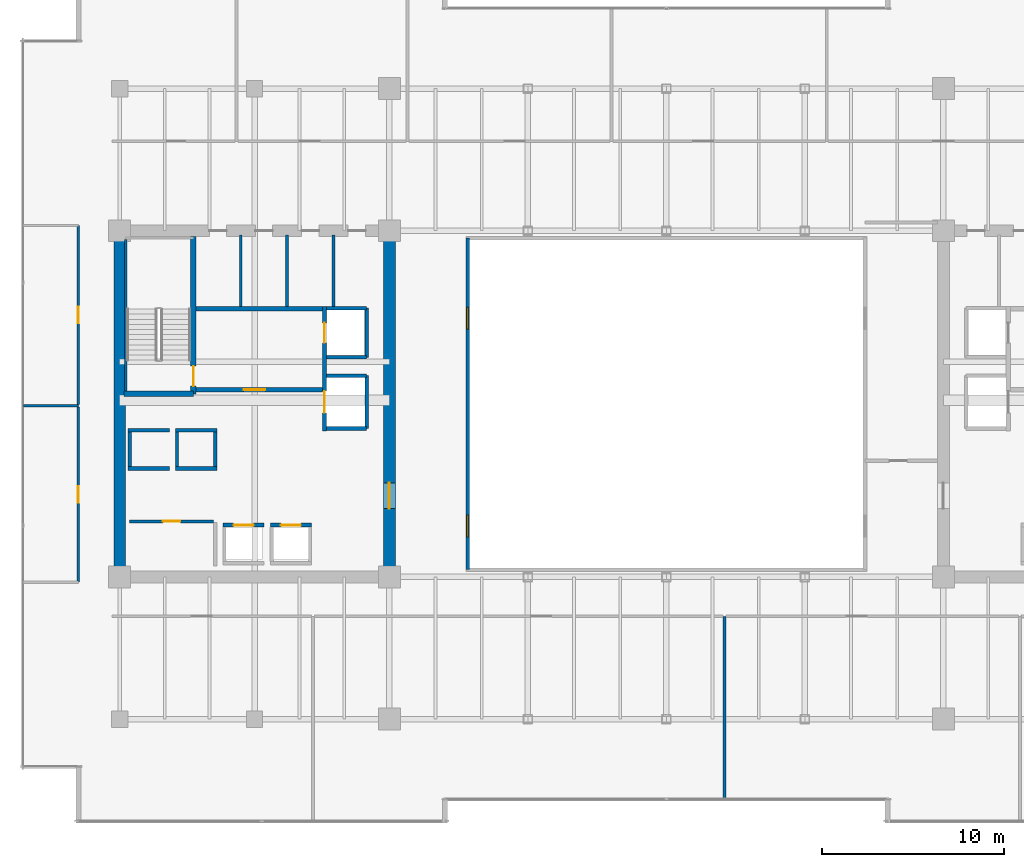
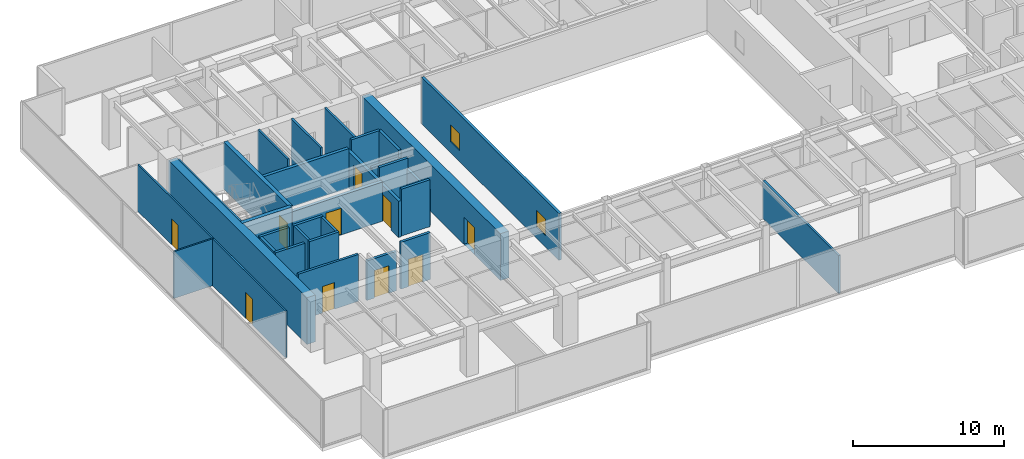
# One storey, part 25 of 30: 32 walls, 10 doors, 2 windows, 12 openings.
"""IFC4 building model written with IfcOpenShell, lengths in metres."""

from ifc_helpers import new_model, si_unit, direction, frame, frame_2d, origin, place, context, subcontext, project, spatial, rectangle, extrude, source, transform, mapped, material, layer, layer_set, type_object, type_shapes, element, fill, save


model = new_model("IFC4")

# Units and contexts
model_context = context("Model", 3, precision=1e-05, world=origin(), true_north=direction((0.0, 1.0)))
body_context = subcontext(model_context, "Body", "Model", "MODEL_VIEW")
ifc_project = project(units=[si_unit("LENGTHUNIT", "METRE"), si_unit("AREAUNIT", "SQUARE_METRE"), si_unit("VOLUMEUNIT", "CUBIC_METRE"), si_unit("PLANEANGLEUNIT", "RADIAN"), si_unit("MASSUNIT", "GRAM", prefix="KILO")], contexts=[model_context])

# Site, building, storey
site_placement = place(None, origin())
site = spatial("IfcSite", under=ifc_project, at=site_placement, CompositionType="ELEMENT")
building_placement = place(site_placement, origin())
building = spatial("IfcBuilding", under=site, at=building_placement, Name="Haelvirn Gate Laboratories", CompositionType="ELEMENT")
storey_placement = place(building_placement, frame((0.0, 0.0, 170.699951171875)))
storey = spatial("IfcBuildingStorey", under=building, at=storey_placement, Name="L41", CompositionType="ELEMENT", Elevation=170.699951171875)

# Wall
ifc_material_1 = material(Name="Double-layer acoustic gypsum laboratory partition", Category="gypsum")
ifc_layer_1 = layer(ifc_material_1, 0.159912109375, Name="IW-ACOUST-160")
ifc_layer_set_1 = layer_set([ifc_layer_1], Name="Double-layer acoustic gypsum laboratory partition")
wall_type_1 = type_object("IfcWallType", Name="IW-ACOUST-160", PredefinedType="PARTITIONING", material=ifc_layer_set_1)
wall_1_placement = place(storey_placement, frame((40.60009765625, 2.610107421875, 0.0), z_axis=(0.0, 0.0, 1.0), x_axis=(0.0, 1.0, 0.0)))
element("IfcWall", 1, at=wall_1_placement, inside=storey, type_object=wall_type_1, Name="L41 Interior Wall IW-L41-SDIV-02", PredefinedType="PARTITIONING", context=body_context, shape_type="SweptSolid", body=[
    extrude(rectangle(XDim=10.02978515625, YDim=0.159912109375, at=frame_2d((5.014892578125, 0.0))), origin(), (0.0, 0.0, 1.0), 3.074951171875),
])

# Wall, openings, windows
ifc_material_2 = material(Name="Tempered fire-rated borosilicate glass & anodised aluminium", Category="aluminium")
ifc_layer_2 = layer(ifc_material_2, 0.195068359375, Name="IW-GLAZ-200")
ifc_layer_set_2 = layer_set([ifc_layer_2], Name="Tempered fire-rated borosilicate glass & anodised aluminium")
wall_type_2 = type_object("IfcWallType", Name="IW-GLAZ-200", PredefinedType="SOLIDWALL", material=ifc_layer_set_2)
wall_2_placement = place(storey_placement, frame((26.5, 15.199951171875, 0.0), z_axis=(0.0, 0.0, 1.0), x_axis=(0.0, 1.0, 0.0)))
wall_2 = element("IfcWall", 2, at=wall_2_placement, inside=storey, type_object=wall_type_2, Name="L41 Interior Wall IW-L41-ATRIUM-W", PredefinedType="SOLIDWALL", context=body_context, shape_type="SweptSolid", body=[
    extrude(rectangle(XDim=18.199951171875, YDim=0.195068359375, at=frame_2d((9.10009765625, 0.0))), origin(), (0.0, 0.0, 1.0), 3.7900390625),
])
opening_1_placement = place(wall_2_placement, frame((1.800048828125, 0.0, 0.89990234375)))
opening_1 = element("IfcOpeningElement", 3, at=opening_1_placement, cuts=wall_2, Name="Opening W6", PredefinedType="OPENING", context=body_context, shape_type="SweptSolid", body=[
    extrude(rectangle(XDim=1.199951171875, YDim=1.35009765625, at=frame_2d((0.60009765625, 0.675048828125))), frame((0.0, 0.107421875, 0.0), z_axis=(0.0, -1.0, 0.0), x_axis=(1.0, 0.0, 0.0)), (0.0, 0.0, 1.0), 0.215087890625),
])
opening_2_placement = place(wall_2_placement, frame((13.199951171875, 0.0, 0.89990234375)))
opening_2 = element("IfcOpeningElement", 4, at=opening_2_placement, cuts=wall_2, Name="Opening W6", PredefinedType="OPENING", context=body_context, shape_type="SweptSolid", body=[
    extrude(rectangle(XDim=1.199951171875, YDim=1.35009765625, at=frame_2d((0.60009765625, 0.675048828125))), frame((0.0, 0.107421875, 0.0), z_axis=(0.0, -1.0, 0.0), x_axis=(1.0, 0.0, 0.0)), (0.0, 0.0, 1.0), 0.215087890625),
])
ifc_material_3 = material(Name="Fire-rated EI 120 borosilicate atrium vision glazing", Category="glass")
window_type = type_object("IfcWindowType", Name="WN-ATR-1200", PartitioningType="SINGLE_PANEL", PredefinedType="WINDOW", material=ifc_material_3)
shared_shape_1 = source(origin(), body_context, "Body", "SweptSolid", [
    extrude(rectangle(XDim=1.199951171875, YDim=1.35009765625, at=frame_2d((0.60009765625, 0.675048828125))), frame((0.0, 0.030029296875, 0.0), z_axis=(0.0, -1.0, 0.0), x_axis=(1.0, 0.0, 0.0)), (0.0, 0.0, 1.0), 0.06005859375),
])
type_shapes(window_type, [shared_shape_1])
window_1_placement = place(opening_1_placement, origin())
window_1 = element("IfcWindow", 5, at=window_1_placement, inside=storey, type_object=window_type, Name="L41 Atrium Observation Window 1", OverallHeight=1.35009765625, OverallWidth=1.199951171875, PartitioningType="SINGLE_PANEL", PredefinedType="WINDOW", context=body_context, shape_type="MappedRepresentation", body=[
    mapped(shared_shape_1, transform((0.0, 0.0, 0.0), scale=1.0)),
])
fill(opening_1, window_1)
window_2_placement = place(opening_2_placement, origin())
window_2 = element("IfcWindow", 6, at=window_2_placement, inside=storey, type_object=window_type, Name="L41 Atrium Observation Window 2", OverallHeight=1.35009765625, OverallWidth=1.199951171875, PartitioningType="SINGLE_PANEL", PredefinedType="WINDOW", context=body_context, shape_type="MappedRepresentation", body=[
    mapped(shared_shape_1, transform((0.0, 0.0, 0.0), scale=1.0)),
])
fill(opening_2, window_2)

# Wall, opening, door
ifc_material_4 = material(Name="Lightweight acoustic gypsum board partition", Category="gypsum")
ifc_layer_3 = layer(ifc_material_4, 0.1201171875, Name="IW-PART-120")
ifc_layer_set_3 = layer_set([ifc_layer_3], Name="Lightweight acoustic gypsum board partition")
wall_type_3 = type_object("IfcWallType", Name="IW-PART-120", PredefinedType="PARTITIONING", material=ifc_layer_set_3)
wall_3_placement = place(storey_placement, frame((5.1298828125, 14.514892578125, 0.0), z_axis=(0.0, 0.0, 1.0), x_axis=(0.0, 1.0, 0.0)))
wall_3 = element("IfcWall", 7, at=wall_3_placement, inside=storey, type_object=wall_type_3, Name="L41 Interior Wall IW-L41-WPASS-01", PredefinedType="PARTITIONING", context=body_context, shape_type="SweptSolid", body=[
    extrude(rectangle(XDim=9.625, YDim=0.1201171875, at=frame_2d((4.8125, 0.0))), origin(), (0.0, 0.0, 1.0), 3.7900390625),
])
opening_3_placement = place(wall_3_placement, frame((4.362548828125, 0.0, 0.0)))
opening_3 = element("IfcOpeningElement", 8, at=opening_3_placement, cuts=wall_3, Name="Opening D4", PredefinedType="OPENING", context=body_context, shape_type="SweptSolid", body=[
    extrude(rectangle(XDim=0.89990234375, YDim=2.10009765625, at=frame_2d((0.449951171875, 1.050048828125))), frame((0.0, 0.070068359375, 0.0), z_axis=(0.0, -1.0, 0.0), x_axis=(1.0, 0.0, 0.0)), (0.0, 0.0, 1.0), 0.14013671875),
])
ifc_material_5 = material(Name="Glazed aluminium-framed write-up door", Category="aluminium")
door_type_1 = type_object("IfcDoorType", Name="DR-OFF-900", OperationType="NOTDEFINED", PredefinedType="DOOR", material=ifc_material_5)
shared_shape_2 = source(origin(), body_context, "Body", "SweptSolid", [
    extrude(rectangle(XDim=0.89990234375, YDim=2.10009765625, at=frame_2d((0.449951171875, 1.050048828125))), frame((0.0, 0.02490234375, 0.0), z_axis=(0.0, -1.0, 0.0), x_axis=(1.0, 0.0, 0.0)), (0.0, 0.0, 1.0), 0.050048828125),
])
type_shapes(door_type_1, [shared_shape_2])
door_1_placement = place(opening_3_placement, origin())
door_1 = element("IfcDoor", 9, at=door_1_placement, inside=storey, type_object=door_type_1, Name="L41 Floor Hydration & Tea Servery Door W1", OperationType="SINGLE_SWING_LEFT", OverallHeight=2.10009765625, OverallWidth=0.89990234375, PredefinedType="DOOR", context=body_context, shape_type="MappedRepresentation", body=[
    mapped(shared_shape_2, transform((0.0, 0.0, 0.0), scale=1.0)),
])
fill(opening_3, door_1)

# Wall
wall_4_placement = place(storey_placement, frame((2.110107421875, 24.199951171875, 0.0), z_axis=(0.0, 0.0, 1.0), x_axis=(1.0, 0.0, 0.0)))
element("IfcWall", 10, at=wall_4_placement, inside=storey, type_object=wall_type_3, Name="L41 Interior Wall IW-L41-WDIV-01", PredefinedType="PARTITIONING", context=body_context, shape_type="SweptSolid", body=[
    extrude(rectangle(XDim=3.019775390625, YDim=0.1201171875, at=frame_2d((1.509765625, 0.0))), origin(), (0.0, 0.0, 1.0), 3.7900390625),
])

# Wall, opening, door
wall_5_placement = place(storey_placement, frame((5.1298828125, 24.260009765625, 0.0), z_axis=(0.0, 0.0, 1.0), x_axis=(0.0, 1.0, 0.0)))
wall_5 = element("IfcWall", 11, at=wall_5_placement, inside=storey, type_object=wall_type_3, Name="L41 Interior Wall IW-L41-WPASS-02", PredefinedType="PARTITIONING", context=body_context, shape_type="SweptSolid", body=[
    extrude(rectangle(XDim=9.824951171875, YDim=0.1201171875, at=frame_2d((4.91259765625, 0.0))), origin(), (0.0, 0.0, 1.0), 3.7900390625),
])
opening_4_placement = place(wall_5_placement, frame((4.46240234375, 0.0, 0.0)))
opening_4 = element("IfcOpeningElement", 12, at=opening_4_placement, cuts=wall_5, Name="Opening D4", PredefinedType="OPENING", context=body_context, shape_type="SweptSolid", body=[
    extrude(rectangle(XDim=0.89990234375, YDim=2.10009765625, at=frame_2d((0.449951171875, 1.050048828125))), frame((0.0, 0.070068359375, 0.0), z_axis=(0.0, -1.0, 0.0), x_axis=(1.0, 0.0, 0.0)), (0.0, 0.0, 1.0), 0.14013671875),
])
door_2_placement = place(opening_4_placement, origin())
door_2 = element("IfcDoor", 13, at=door_2_placement, inside=storey, type_object=door_type_1, Name="L41 Researcher Break Pantry Door W2", OperationType="SINGLE_SWING_RIGHT", OverallHeight=2.10009765625, OverallWidth=0.89990234375, PredefinedType="DOOR", context=body_context, shape_type="MappedRepresentation", body=[
    mapped(shared_shape_2, transform((0.0, 0.0, 0.0), scale=1.0)),
])
fill(opening_4, door_2)

# Walls
ifc_material_6 = material(Name="Cement-board restroom plumbing chase wall", Category="gypsum")
ifc_layer_4 = layer(ifc_material_6, 0.155029296875, Name="IW-PLUMB-160")
ifc_layer_set_4 = layer_set([ifc_layer_4], Name="Cement-board restroom plumbing chase wall")
wall_type_4 = type_object("IfcWallType", Name="IW-PLUMB-160", PredefinedType="PLUMBINGWALL", material=ifc_layer_set_4)
for number, where, z_axis, x_axis, name in (
    (14, (14.0400390625, 29.64990234375, 0.0), (0.0, 0.0, 1.0), (0.0, 1.0, 0.0), "L41 Interior Wall IW-L41-W-CDIV-1"),
    (15, (16.590087890625, 29.64990234375, 0.0), (0.0, 0.0, 1.0), (0.0, 1.0, 0.0), "L41 Interior Wall IW-L41-W-CDIV-2"),
    (16, (19.139892578125, 29.64990234375, 0.0), (0.0, 0.0, 1.0), (0.0, 1.0, 0.0), "L41 Interior Wall IW-L41-W-CDIV-3"),
):
    element("IfcWall", number, at=place(storey_placement, frame(where, z_axis=z_axis, x_axis=x_axis)), inside=storey, type_object=wall_type_4, Name=name, PredefinedType="PLUMBINGWALL", context=body_context, shape_type="SweptSolid", body=[
        extrude(rectangle(XDim=3.93017578125, YDim=0.155029296875, at=frame_2d((1.965087890625, 0.0))), origin(), (0.0, 0.0, 1.0), 3.7900390625),
    ])
ifc_material_7 = material(Name="Concrete C40/50", Category="concrete")
ifc_layer_5 = layer(ifc_material_7, 0.179931640625, Name="IW-SHAFT-180")
ifc_layer_set_5 = layer_set([ifc_layer_5], Name="Concrete C40/50")
wall_type_5 = type_object("IfcWallType", Name="IW-SHAFT-180", PredefinedType="SOLIDWALL", material=ifc_layer_set_5)
for number, where, z_axis, x_axis, name in (
    (17, (7.949951171875, 20.85009765625, 0.0), (0.0, 0.0, 1.0), (0.0, 1.0, 0.0), "L41 Interior Wall IW-L41-PL9-SD"),
    (18, (10.550048828125, 20.85009765625, 0.0), (0.0, 0.0, 1.0), (0.0, 1.0, 0.0), "L41 Interior Wall IW-L41-PL10-SD"),
    (19, (12.64990234375, 20.85009765625, 0.0), (0.0, 0.0, 1.0), (0.0, 1.0, 0.0), "L41 Interior Wall IW-L41-PL10-SDE"),
):
    element("IfcWall", number, at=place(storey_placement, frame(where, z_axis=z_axis, x_axis=x_axis)), inside=storey, type_object=wall_type_5, Name=name, PredefinedType="SOLIDWALL", context=body_context, shape_type="SweptSolid", body=[
        extrude(rectangle(XDim=1.89990234375, YDim=0.179931640625, at=frame_2d((0.949951171875, 0.0))), origin(), (0.0, 0.0, 1.0), 3.7900390625),
    ])

# Wall, opening, door
wall_6_placement = place(storey_placement, frame((7.949951171875, 17.85009765625, 0.0), z_axis=(0.0, 0.0, 1.0), x_axis=(1.0, 0.0, 0.0)))
wall_6 = element("IfcWall", 20, at=wall_6_placement, inside=storey, type_object=wall_type_5, Name="L41 Interior Wall IW-L41-W-FREED-LN-1", PredefinedType="SOLIDWALL", context=body_context, shape_type="SweptSolid", body=[
    extrude(rectangle(XDim=4.60009765625, YDim=0.179931640625, at=frame_2d((2.300048828125, 0.0))), origin(), (0.0, 0.0, 1.0), 3.7900390625),
])
opening_5_placement = place(wall_6_placement, frame((1.824951171875, 0.0, 0.0)))
opening_5 = element("IfcOpeningElement", 21, at=opening_5_placement, cuts=wall_6, Name="Opening FD4", PredefinedType="OPENING", context=body_context, shape_type="SweptSolid", body=[
    extrude(rectangle(XDim=0.949951171875, YDim=2.14990234375, at=frame_2d((0.47509765625, 1.074951171875))), frame((0.0, 0.10009765625, 0.0), z_axis=(0.0, -1.0, 0.0), x_axis=(1.0, 0.0, 0.0)), (0.0, 0.0, 1.0), 0.199951171875),
])
ifc_material_8 = material(Name="Fire-rated steel SM355 core service door", Category="steel")
door_type_2 = type_object("IfcDoorType", Name="DR-FD-950", OperationType="NOTDEFINED", PredefinedType="DOOR", material=ifc_material_8)
shared_shape_3 = source(origin(), body_context, "Body", "SweptSolid", [
    extrude(rectangle(XDim=0.949951171875, YDim=2.14990234375, at=frame_2d((0.47509765625, 1.074951171875))), frame((0.0, 0.02490234375, 0.0), z_axis=(0.0, -1.0, 0.0), x_axis=(1.0, 0.0, 0.0)), (0.0, 0.0, 1.0), 0.050048828125),
])
type_shapes(door_type_2, [shared_shape_3])
door_3_placement = place(opening_5_placement, origin())
door_3 = element("IfcDoor", 22, at=door_3_placement, inside=storey, type_object=door_type_2, Name="L41 Autoclave & Glasswash Room Door", OperationType="SINGLE_SWING_LEFT", OverallHeight=2.14990234375, OverallWidth=0.949951171875, PredefinedType="DOOR", context=body_context, shape_type="MappedRepresentation", body=[
    mapped(shared_shape_3, transform((0.0, 0.0, 0.0), scale=1.0)),
])
fill(opening_5, door_3)

ifc_layer_6 = layer(ifc_material_7, 0.199951171875, Name="IW-SHAFT-200")
ifc_layer_set_6 = layer_set([ifc_layer_6], Name="Concrete C40/50")
wall_type_6 = type_object("IfcWallType", Name="IW-SHAFT-200", PredefinedType="SOLIDWALL", material=ifc_layer_set_6)
wall_7_placement = place(storey_placement, frame((13.070068359375, 17.64990234375, 0.0), z_axis=(0.0, 0.0, 1.0), x_axis=(1.0, 0.0, 0.0)))
wall_7 = element("IfcWall", 23, at=wall_7_placement, inside=storey, type_object=wall_type_6, Name="L41 Interior Wall IW-L41-PL5-FR", PredefinedType="SOLIDWALL", context=body_context, shape_type="SweptSolid", body=[
    extrude(rectangle(XDim=2.260009765625, YDim=0.199951171875, at=frame_2d((1.1298828125, 0.0))), origin(), (0.0, 0.0, 1.0), 3.18701171875),
])
opening_6_placement = place(wall_7_placement, frame((0.580078125, 0.0, 0.0)))
opening_6 = element("IfcOpeningElement", 24, at=opening_6_placement, cuts=wall_7, Name="Opening LD2", PredefinedType="OPENING", context=body_context, shape_type="SweptSolid", body=[
    extrude(rectangle(XDim=1.10009765625, YDim=2.219970703125, at=frame_2d((0.550048828125, 1.10986328125))), frame((0.0, 0.10986328125, 0.0), z_axis=(0.0, -1.0, 0.0), x_axis=(1.0, 0.0, 0.0)), (0.0, 0.0, 1.0), 0.219970703125),
])
ifc_material_9 = material(Name="Bronze stainless 316L sliding lift landing door")
door_type_3 = type_object("IfcDoorType", Name="DR-LD-1100", OperationType="NOTDEFINED", PredefinedType="USERDEFINED", material=ifc_material_9)
shared_shape_4 = source(origin(), body_context, "Body", "SweptSolid", [
    extrude(rectangle(XDim=1.10009765625, YDim=2.219970703125, at=frame_2d((0.550048828125, 1.10986328125))), frame((0.0, 0.02490234375, 0.0), z_axis=(0.0, -1.0, 0.0), x_axis=(1.0, 0.0, 0.0)), (0.0, 0.0, 1.0), 0.050048828125),
])
type_shapes(door_type_3, [shared_shape_4])
door_4_placement = place(opening_6_placement, origin())
door_4 = element("IfcDoor", 25, at=door_4_placement, inside=storey, type_object=door_type_3, Name="L41 Passenger Lift PL5 Landing Door", ObjectType="LANDING_DOOR", OperationType="SLIDING_TO_LEFT", OverallHeight=2.219970703125, OverallWidth=1.10009765625, PredefinedType="USERDEFINED", context=body_context, shape_type="MappedRepresentation", body=[
    mapped(shared_shape_4, transform((0.0, 0.0, 0.0), scale=1.0)),
])
fill(opening_6, door_4)

wall_8_placement = place(storey_placement, frame((15.669921875, 17.64990234375, 0.0), z_axis=(0.0, 0.0, 1.0), x_axis=(1.0, 0.0, 0.0)))
wall_8 = element("IfcWall", 26, at=wall_8_placement, inside=storey, type_object=wall_type_6, Name="L41 Interior Wall IW-L41-PL6-FR", PredefinedType="SOLIDWALL", context=body_context, shape_type="SweptSolid", body=[
    extrude(rectangle(XDim=2.260009765625, YDim=0.199951171875, at=frame_2d((1.1298828125, 0.0))), origin(), (0.0, 0.0, 1.0), 3.7900390625),
])
opening_7_placement = place(wall_8_placement, frame((0.580078125, 0.0, 0.0)))
opening_7 = element("IfcOpeningElement", 27, at=opening_7_placement, cuts=wall_8, Name="Opening LD2", PredefinedType="OPENING", context=body_context, shape_type="SweptSolid", body=[
    extrude(rectangle(XDim=1.10009765625, YDim=2.219970703125, at=frame_2d((0.550048828125, 1.10986328125))), frame((0.0, 0.10986328125, 0.0), z_axis=(0.0, -1.0, 0.0), x_axis=(1.0, 0.0, 0.0)), (0.0, 0.0, 1.0), 0.219970703125),
])
door_5_placement = place(opening_7_placement, origin())
door_5 = element("IfcDoor", 28, at=door_5_placement, inside=storey, type_object=door_type_3, Name="L41 Passenger Lift PL6 Landing Door", ObjectType="LANDING_DOOR", OperationType="SLIDING_TO_RIGHT", OverallHeight=2.219970703125, OverallWidth=1.10009765625, PredefinedType="USERDEFINED", context=body_context, shape_type="MappedRepresentation", body=[
    mapped(shared_shape_4, transform((0.0, 0.0, 0.0), scale=1.0)),
])
fill(opening_7, door_5)

# Walls
for number, where, z_axis, x_axis, name in (
    (29, (7.8701171875, 20.75, 0.0), (0.0, 0.0, 1.0), (1.0, 0.0, 0.0), "L41 Interior Wall IW-L41-PL9-FR"),
    (30, (7.8701171875, 22.85009765625, 0.0), (0.0, 0.0, 1.0), (1.0, 0.0, 0.0), "L41 Interior Wall IW-L41-PL9-BK"),
):
    element("IfcWall", number, at=place(storey_placement, frame(where, z_axis=z_axis, x_axis=x_axis)), inside=storey, type_object=wall_type_6, Name=name, PredefinedType="SOLIDWALL", context=body_context, shape_type="SweptSolid", body=[
        extrude(rectangle(XDim=2.259765625, YDim=0.199951171875, at=frame_2d((1.1298828125, 0.0))), origin(), (0.0, 0.0, 1.0), 3.7900390625),
    ])
for number, where, z_axis, x_axis, name in (
    (31, (10.469970703125, 20.75, 0.0), (0.0, 0.0, 1.0), (1.0, 0.0, 0.0), "L41 Interior Wall IW-L41-PL10-FR"),
    (32, (10.469970703125, 22.85009765625, 0.0), (0.0, 0.0, 1.0), (1.0, 0.0, 0.0), "L41 Interior Wall IW-L41-PL10-BK"),
):
    element("IfcWall", number, at=place(storey_placement, frame(where, z_axis=z_axis, x_axis=x_axis)), inside=storey, type_object=wall_type_6, Name=name, PredefinedType="SOLIDWALL", context=body_context, shape_type="SweptSolid", body=[
        extrude(rectangle(XDim=2.260009765625, YDim=0.199951171875, at=frame_2d((1.1298828125, 0.0))), origin(), (0.0, 0.0, 1.0), 3.7900390625),
    ])
wall_9_placement = place(storey_placement, frame((20.949951171875, 26.85009765625, 0.0), z_axis=(0.0, 0.0, 1.0), x_axis=(0.0, 1.0, 0.0)))
element("IfcWall", 33, at=wall_9_placement, inside=storey, type_object=wall_type_6, Name="L41 Interior Wall IW-L41-FL1-BK", PredefinedType="SOLIDWALL", context=body_context, shape_type="SweptSolid", body=[
    extrude(rectangle(XDim=2.699951171875, YDim=0.199951171875, at=frame_2d((1.35009765625, 0.0))), origin(), (0.0, 0.0, 1.0), 3.7900390625),
])
wall_10_placement = place(storey_placement, frame((18.760009765625, 29.550048828125, 0.0), z_axis=(0.0, 0.0, 1.0), x_axis=(1.0, 0.0, 0.0)))
element("IfcWall", 34, at=wall_10_placement, inside=storey, type_object=wall_type_6, Name="L41 Interior Wall IW-L41-FL1-N", PredefinedType="SOLIDWALL", context=body_context, shape_type="SweptSolid", body=[
    extrude(rectangle(XDim=2.18994140625, YDim=0.199951171875, at=frame_2d((1.094970703125, 0.0))), origin(), (0.0, 0.0, 1.0), 3.7900390625),
])
wall_11_placement = place(storey_placement, frame((18.760009765625, 26.85009765625, 0.0), z_axis=(0.0, 0.0, 1.0), x_axis=(1.0, 0.0, 0.0)))
element("IfcWall", 35, at=wall_11_placement, inside=storey, type_object=wall_type_6, Name="L41 Interior Wall IW-L41-FL1-S", PredefinedType="SOLIDWALL", context=body_context, shape_type="SweptSolid", body=[
    extrude(rectangle(XDim=2.18994140625, YDim=0.199951171875, at=frame_2d((1.094970703125, 0.0))), origin(), (0.0, 0.0, 1.0), 3.18701171875),
])
wall_12_placement = place(storey_placement, frame((20.949951171875, 22.949951171875, 0.0), z_axis=(0.0, 0.0, 1.0), x_axis=(0.0, 1.0, 0.0)))
element("IfcWall", 36, at=wall_12_placement, inside=storey, type_object=wall_type_6, Name="L41 Interior Wall IW-L41-SL1-BK", PredefinedType="SOLIDWALL", context=body_context, shape_type="SweptSolid", body=[
    extrude(rectangle(XDim=2.900146484375, YDim=0.199951171875, at=frame_2d((1.4501953125, 0.0))), origin(), (0.0, 0.0, 1.0), 2.925048828125),
])
for number, where, z_axis, x_axis, name in (
    (37, (18.760009765625, 25.85009765625, 0.0), (0.0, 0.0, 1.0), (1.0, 0.0, 0.0), "L41 Interior Wall IW-L41-SL1-N"),
    (38, (18.760009765625, 22.949951171875, 0.0), (0.0, 0.0, 1.0), (1.0, 0.0, 0.0), "L41 Interior Wall IW-L41-SL1-S"),
):
    element("IfcWall", number, at=place(storey_placement, frame(where, z_axis=z_axis, x_axis=x_axis)), inside=storey, type_object=wall_type_6, Name=name, PredefinedType="SOLIDWALL", context=body_context, shape_type="SweptSolid", body=[
        extrude(rectangle(XDim=2.18994140625, YDim=0.199951171875, at=frame_2d((1.094970703125, 0.0))), origin(), (0.0, 0.0, 1.0), 3.7900390625),
    ])

# Wall, opening, door
ifc_layer_7 = layer(ifc_material_7, 0.239990234375, Name="IW-SHAFT-240")
ifc_layer_set_7 = layer_set([ifc_layer_7], Name="Concrete C40/50")
wall_type_7 = type_object("IfcWallType", Name="IW-SHAFT-240", PredefinedType="SOLIDWALL", material=ifc_layer_set_7)
wall_13_placement = place(storey_placement, frame((11.60009765625, 25.080078125, 0.0), z_axis=(0.0, 0.0, 1.0), x_axis=(1.0, 0.0, 0.0)))
wall_13 = element("IfcWall", 39, at=wall_13_placement, inside=storey, type_object=wall_type_7, Name="L41 Interior Wall IW-L41-W-FF-S", PredefinedType="SOLIDWALL", context=body_context, shape_type="SweptSolid", body=[
    extrude(rectangle(XDim=6.919921875, YDim=0.239990234375, at=frame_2d((3.4599609375, 0.0))), origin(), (0.0, 0.0, 1.0), 3.18701171875),
])
opening_8_placement = place(wall_13_placement, frame((2.60009765625, 0.0, 0.0)))
opening_8 = element("IfcOpeningElement", 40, at=opening_8_placement, cuts=wall_13, Name="Opening FD2", PredefinedType="OPENING", context=body_context, shape_type="SweptSolid", body=[
    extrude(rectangle(XDim=1.199951171875, YDim=2.159912109375, at=frame_2d((0.60009765625, 1.080078125))), frame((0.0, 0.1298828125, 0.0), z_axis=(0.0, -1.0, 0.0), x_axis=(1.0, 0.0, 0.0)), (0.0, 0.0, 1.0), 0.260009765625),
])
ifc_material_10 = material(Name="Fire-rated steel SM355 compartment door", Category="steel")
door_type_4 = type_object("IfcDoorType", Name="DR-FD-1200", OperationType="NOTDEFINED", PredefinedType="DOOR", material=ifc_material_10)
shared_shape_5 = source(origin(), body_context, "Body", "SweptSolid", [
    extrude(rectangle(XDim=1.199951171875, YDim=2.159912109375, at=frame_2d((0.60009765625, 1.080078125))), frame((0.0, 0.02490234375, 0.0), z_axis=(0.0, -1.0, 0.0), x_axis=(1.0, 0.0, 0.0)), (0.0, 0.0, 1.0), 0.050048828125),
])
type_shapes(door_type_4, [shared_shape_5])
door_6_placement = place(opening_8_placement, origin())
door_6 = element("IfcDoor", 41, at=door_6_placement, inside=storey, type_object=door_type_4, Name="L41 West Firefighting Lobby Door", OperationType="SINGLE_SWING_RIGHT", OverallHeight=2.159912109375, OverallWidth=1.199951171875, PredefinedType="DOOR", context=body_context, shape_type="MappedRepresentation", body=[
    mapped(shared_shape_5, transform((0.0, 0.0, 0.0), scale=1.0)),
])
fill(opening_8, door_6)

# Wall
wall_14_placement = place(storey_placement, frame((11.60009765625, 29.52001953125, 0.0), z_axis=(0.0, 0.0, 1.0), x_axis=(1.0, 0.0, 0.0)))
element("IfcWall", 42, at=wall_14_placement, inside=storey, type_object=wall_type_7, Name="L41 Interior Wall IW-L41-W-FF-N", PredefinedType="SOLIDWALL", context=body_context, shape_type="SweptSolid", body=[
    extrude(rectangle(XDim=6.919921875, YDim=0.239990234375, at=frame_2d((3.4599609375, 0.0))), origin(), (0.0, 0.0, 1.0), 3.18701171875),
])

# Wall, openings, doors
wall_15_placement = place(storey_placement, frame((18.639892578125, 22.800048828125, 0.0), z_axis=(0.0, 0.0, 1.0), x_axis=(0.0, 1.0, 0.0)))
wall_15 = element("IfcWall", 43, at=wall_15_placement, inside=storey, type_object=wall_type_7, Name="L41 Interior Wall IW-L41-W-FF-E", PredefinedType="SOLIDWALL", context=body_context, shape_type="SweptSolid", body=[
    extrude(rectangle(XDim=6.849853515625, YDim=0.239990234375, at=frame_2d((3.4248046875, 0.0))), origin(), (0.0, 0.0, 1.0), 2.925048828125),
])
opening_9_placement = place(wall_15_placement, frame((4.85009765625, 0.0, 0.0)))
opening_9 = element("IfcOpeningElement", 44, at=opening_9_placement, cuts=wall_15, Name="Opening LD2", PredefinedType="OPENING", context=body_context, shape_type="SweptSolid", body=[
    extrude(rectangle(XDim=1.10009765625, YDim=2.219970703125, at=frame_2d((0.550048828125, 1.10986328125))), frame((0.0, 0.1298828125, 0.0), z_axis=(0.0, -1.0, 0.0), x_axis=(1.0, 0.0, 0.0)), (0.0, 0.0, 1.0), 0.260009765625),
])
opening_10_placement = place(wall_15_placement, frame((1.0, 0.0, 0.0)))
opening_10 = element("IfcOpeningElement", 45, at=opening_10_placement, cuts=wall_15, Name="Opening LD1", PredefinedType="OPENING", context=body_context, shape_type="SweptSolid", body=[
    extrude(rectangle(XDim=1.199951171875, YDim=2.219970703125, at=frame_2d((0.60009765625, 1.10986328125))), frame((0.0, 0.1298828125, 0.0), z_axis=(0.0, -1.0, 0.0), x_axis=(1.0, 0.0, 0.0)), (0.0, 0.0, 1.0), 0.260009765625),
])
door_7_placement = place(opening_9_placement, origin())
door_7 = element("IfcDoor", 46, at=door_7_placement, inside=storey, type_object=door_type_3, Name="L41 Firefighting Lift FL1 Landing Door", ObjectType="LANDING_DOOR", OperationType="SLIDING_TO_LEFT", OverallHeight=2.219970703125, OverallWidth=1.10009765625, PredefinedType="USERDEFINED", context=body_context, shape_type="MappedRepresentation", body=[
    mapped(shared_shape_4, transform((0.0, 0.0, 0.0), scale=1.0)),
])
fill(opening_9, door_7)
ifc_material_11 = material(Name="Stainless steel 316L sliding goods landing door", Category="steel")
door_type_5 = type_object("IfcDoorType", Name="DR-LD-1200", OperationType="NOTDEFINED", PredefinedType="USERDEFINED", material=ifc_material_11)
shared_shape_6 = source(origin(), body_context, "Body", "SweptSolid", [
    extrude(rectangle(XDim=1.199951171875, YDim=2.219970703125, at=frame_2d((0.60009765625, 1.10986328125))), frame((0.0, 0.02490234375, 0.0), z_axis=(0.0, -1.0, 0.0), x_axis=(1.0, 0.0, 0.0)), (0.0, 0.0, 1.0), 0.050048828125),
])
type_shapes(door_type_5, [shared_shape_6])
door_8_placement = place(opening_10_placement, origin())
door_8 = element("IfcDoor", 47, at=door_8_placement, inside=storey, type_object=door_type_5, Name="L41 Service Lift SL1 Landing Door", ObjectType="LANDING_DOOR", OperationType="SLIDING_TO_RIGHT", OverallHeight=2.219970703125, OverallWidth=1.199951171875, PredefinedType="USERDEFINED", context=body_context, shape_type="MappedRepresentation", body=[
    mapped(shared_shape_6, transform((0.0, 0.0, 0.0), scale=1.0)),
])
fill(opening_10, door_8)

# Wall
ifc_material_12 = material(Name="Concrete C60/75", Category="concrete")
ifc_layer_8 = layer(ifc_material_12, 0.64990234375, Name="SW-CORE-650")
ifc_layer_set_8 = layer_set([ifc_layer_8], Name="Concrete C60/75")
wall_type_8 = type_object("IfcWallType", Name="SW-CORE-650", PredefinedType="SHEAR", material=ifc_layer_set_8)
wall_16_placement = place(storey_placement, frame((7.39990234375, 15.125, 0.0), z_axis=(0.0, 0.0, 1.0), x_axis=(0.0, 1.0, 0.0)))
element("IfcWall", 48, at=wall_16_placement, inside=storey, type_object=wall_type_8, Name="L41 W Core Shear Wall W", PredefinedType="SHEAR", context=body_context, shape_type="SweptSolid", body=[
    extrude(rectangle(XDim=18.35009765625, YDim=0.64990234375, at=frame_2d((9.175048828125, 0.0))), origin(), (0.0, 0.0, 1.0), 3.7900390625),
])

# Wall, opening, door
wall_17_placement = place(storey_placement, frame((22.199951171875, 15.125, 0.0), z_axis=(0.0, 0.0, 1.0), x_axis=(0.0, 1.0, 0.0)))
wall_17 = element("IfcWall", 49, at=wall_17_placement, inside=storey, type_object=wall_type_8, Name="L41 W Core Shear Wall E", PredefinedType="SHEAR", context=body_context, shape_type="SweptSolid", body=[
    extrude(rectangle(XDim=18.35009765625, YDim=0.64990234375, at=frame_2d((9.175048828125, 0.0))), origin(), (0.0, 0.0, 1.0), 3.7900390625),
])
opening_11_placement = place(wall_17_placement, frame((3.425048828125, 0.0, 0.0)))
opening_11 = element("IfcOpeningElement", 50, at=opening_11_placement, cuts=wall_17, Name="Opening FD1", PredefinedType="OPENING", context=body_context, shape_type="SweptSolid", body=[
    extrude(rectangle(XDim=1.419921875, YDim=2.199951171875, at=frame_2d((0.7099609375, 1.10009765625))), frame((0.0, 0.3349609375, 0.0), z_axis=(0.0, -1.0, 0.0), x_axis=(1.0, 0.0, 0.0)), (0.0, 0.0, 1.0), 0.669921875),
])
ifc_material_13 = material(Name="Fire-rated double steel SM355 lobby door", Category="steel")
door_type_6 = type_object("IfcDoorType", Name="DR-FD-1400", OperationType="NOTDEFINED", PredefinedType="DOOR", material=ifc_material_13)
shared_shape_7 = source(origin(), body_context, "Body", "SweptSolid", [
    extrude(rectangle(XDim=1.419921875, YDim=2.199951171875, at=frame_2d((0.7099609375, 1.10009765625))), frame((0.0, 0.02490234375, 0.0), z_axis=(0.0, -1.0, 0.0), x_axis=(1.0, 0.0, 0.0)), (0.0, 0.0, 1.0), 0.050048828125),
])
type_shapes(door_type_6, [shared_shape_7])
door_9_placement = place(opening_11_placement, origin())
door_9 = element("IfcDoor", 51, at=door_9_placement, inside=storey, type_object=door_type_6, Name="L41 West Core Lift Lobby Fire Door", OperationType="DOUBLE_DOOR_SINGLE_SWING", OverallHeight=2.199951171875, OverallWidth=1.419921875, PredefinedType="DOOR", context=body_context, shape_type="MappedRepresentation", body=[
    mapped(shared_shape_7, transform((0.0, 0.0, 0.0), scale=1.0)),
])
fill(opening_11, door_9)

# Wall
ifc_material_14 = material(Name="Concrete C50/60", Category="concrete")
ifc_layer_9 = layer(ifc_material_14, 0.1201171875, Name="SW-LINER-120")
ifc_layer_set_9 = layer_set([ifc_layer_9], Name="Concrete C50/60")
wall_type_9 = type_object("IfcWallType", Name="SW-LINER-120", PredefinedType="SOLIDWALL", material=ifc_layer_set_9)
wall_18_placement = place(storey_placement, frame((7.72998046875, 25.0, 0.0), z_axis=(0.0, 0.0, 1.0), x_axis=(0.0, 1.0, 0.0)))
element("IfcWall", 52, at=wall_18_placement, inside=storey, type_object=wall_type_9, Name="L41 W Core Stair Shaft Liner Wall OUT", PredefinedType="SOLIDWALL", context=body_context, shape_type="SweptSolid", body=[
    extrude(rectangle(XDim=8.320068359375, YDim=0.1201171875, at=frame_2d((4.16015625, 0.0))), origin(), (0.0, 0.0, 1.0), 3.7900390625),
])

# Wall, opening, door
ifc_layer_10 = layer(ifc_material_14, 0.300048828125, Name="SW-STAIR-300")
ifc_layer_set_10 = layer_set([ifc_layer_10], Name="Concrete C50/60")
wall_type_10 = type_object("IfcWallType", Name="SW-STAIR-300", PredefinedType="SHEAR", material=ifc_layer_set_10)
wall_19_placement = place(storey_placement, frame((11.449951171875, 24.85009765625, 0.0), z_axis=(0.0, 0.0, 1.0), x_axis=(0.0, 1.0, 0.0)))
wall_19 = element("IfcWall", 53, at=wall_19_placement, inside=storey, type_object=wall_type_10, Name="L41 W Core Stair Shaft Structural Wall IN", PredefinedType="SHEAR", context=body_context, shape_type="SweptSolid", body=[
    extrude(rectangle(XDim=8.6298828125, YDim=0.300048828125, at=frame_2d((4.31494140625, 0.0))), origin(), (0.0, 0.0, 1.0), 3.7900390625),
])
opening_12_placement = place(wall_19_placement, frame((0.419921875, 0.0, 0.0)))
opening_12 = element("IfcOpeningElement", 54, at=opening_12_placement, cuts=wall_19, Name="Opening FD3", PredefinedType="OPENING", context=body_context, shape_type="SweptSolid", body=[
    extrude(rectangle(XDim=1.10009765625, YDim=2.14990234375, at=frame_2d((0.550048828125, 1.074951171875))), frame((0.0, 0.16015625, 0.0), z_axis=(0.0, -1.0, 0.0), x_axis=(1.0, 0.0, 0.0)), (0.0, 0.0, 1.0), 0.320068359375),
])
ifc_material_15 = material(Name="Fire-rated steel SM355 escape stair door", Category="steel")
door_type_7 = type_object("IfcDoorType", Name="DR-FD-1100", OperationType="NOTDEFINED", PredefinedType="DOOR", material=ifc_material_15)
shared_shape_8 = source(origin(), body_context, "Body", "SweptSolid", [
    extrude(rectangle(XDim=1.10009765625, YDim=2.14990234375, at=frame_2d((0.550048828125, 1.074951171875))), frame((0.0, 0.02490234375, 0.0), z_axis=(0.0, -1.0, 0.0), x_axis=(1.0, 0.0, 0.0)), (0.0, 0.0, 1.0), 0.050048828125),
])
type_shapes(door_type_7, [shared_shape_8])
door_10_placement = place(opening_12_placement, origin())
door_10 = element("IfcDoor", 55, at=door_10_placement, inside=storey, type_object=door_type_7, Name="L41 Escape Stair ST1 Fire Door", OperationType="SINGLE_SWING_LEFT", OverallHeight=2.14990234375, OverallWidth=1.10009765625, PredefinedType="DOOR", context=body_context, shape_type="MappedRepresentation", body=[
    mapped(shared_shape_8, transform((0.0, 0.0, 0.0), scale=1.0)),
])
fill(opening_12, door_10)

# Wall
wall_20_placement = place(storey_placement, frame((7.64990234375, 24.85009765625, 0.0), z_axis=(0.0, 0.0, 1.0), x_axis=(1.0, 0.0, 0.0)))
element("IfcWall", 56, at=wall_20_placement, inside=storey, type_object=wall_type_10, Name="L41 W Core Stair Shaft Structural Wall S", PredefinedType="SHEAR", context=body_context, shape_type="SweptSolid", body=[
    extrude(rectangle(XDim=3.800048828125, YDim=0.300048828125, at=frame_2d((1.89990234375, 0.0))), origin(), (0.0, 0.0, 1.0), 3.7900390625),
])

save(model, "model.ifc")
